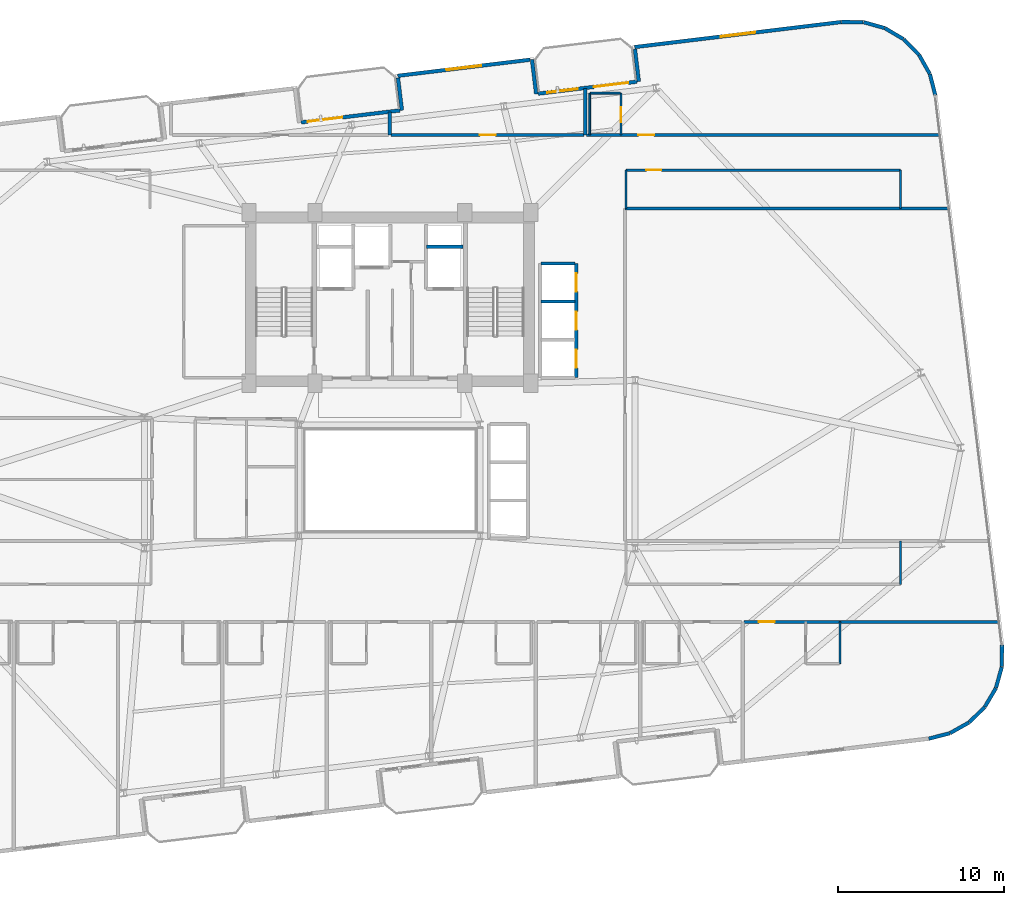
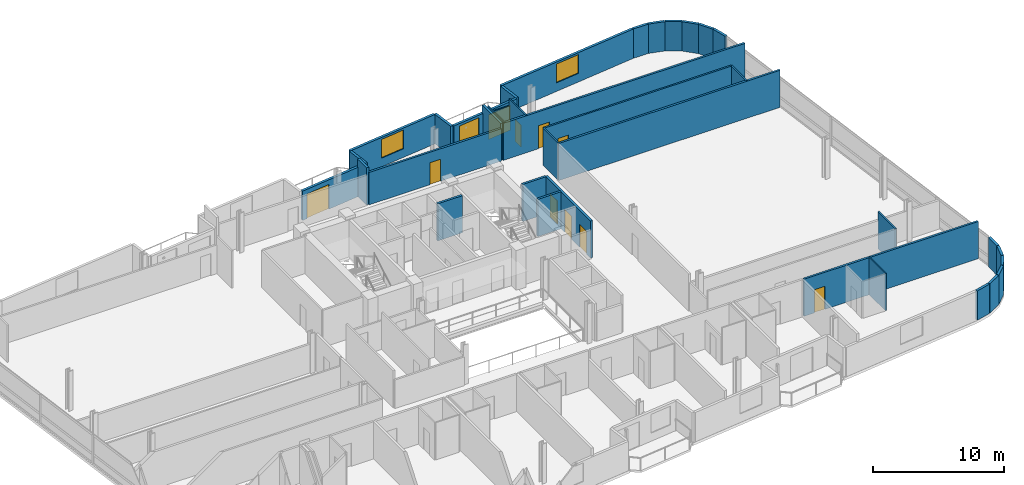
# One storey, part 18 of 23: 37 walls, 10 doors, 3 windows, 13 openings.
"""IFC4 building model written with IfcOpenShell, lengths in metres."""

from ifc_helpers import new_model, si_unit, direction, frame, frame_2d, origin, place, context, subcontext, project, spatial, rectangle, extrude, material, layer, layer_set, type_object, element, fill, save


model = new_model("IFC4")

# Units and contexts
model_context = context("Model", 3, precision=1e-05, world=origin(), true_north=direction((0.0, 1.0)))
body_context = subcontext(model_context, "Body", "Model", "MODEL_VIEW")
ifc_project = project(units=[si_unit("LENGTHUNIT", "METRE"), si_unit("AREAUNIT", "SQUARE_METRE"), si_unit("VOLUMEUNIT", "CUBIC_METRE"), si_unit("PLANEANGLEUNIT", "RADIAN"), si_unit("MASSUNIT", "GRAM", prefix="KILO")], contexts=[model_context])

# Site, building, storey
site_placement = place(None, origin())
site = spatial("IfcSite", under=ifc_project, at=site_placement, CompositionType="ELEMENT")
building_placement = place(site_placement, origin())
building = spatial("IfcBuilding", under=site, at=building_placement, Name="Varnelok Gate Tower", CompositionType="ELEMENT")
storey_placement = place(building_placement, frame((0.0, 0.0, 200.5)))
storey = spatial("IfcBuildingStorey", under=building, at=storey_placement, Name="L51", CompositionType="ELEMENT", Elevation=200.5)

# Wall, opening, door
ifc_material_1 = material(Name="Concrete C45/55", Category="concrete")
ifc_layer_1 = layer(ifc_material_1, 0.219970703125)
ifc_layer_set_1 = layer_set([ifc_layer_1], Name="Concrete C45/55")
wall_type_1 = type_object("IfcWallType", Name="EW-BALC-220", PredefinedType="SOLIDWALL", material=ifc_layer_set_1)
wall_1_placement = place(storey_placement, frame((33.852294921875, 44.48583984375, 0.0), z_axis=(0.0, 0.0, 1.0), x_axis=(0.992729951822, 0.120362962556, 0.0)))
wall_1 = element("IfcWall", 1, at=wall_1_placement, inside=storey, type_object=wall_type_1, Name="L51 North Terrace Envelope Wall 5", PredefinedType="SOLIDWALL", context=body_context, shape_type="SweptSolid", body=[
    extrude(rectangle(XDim=6.0, YDim=0.219970703125, at=frame_2d((3.0, 0.0))), origin(), (0.0, 0.0, 1.0), 2.72998046875),
])
opening_1_placement = place(wall_1_placement, frame((0.39990234375, 0.0, 0.0)))
opening_1 = element("IfcOpeningElement", 2, at=opening_1_placement, cuts=wall_1, Name="Opening BD-2", PredefinedType="OPENING", context=body_context, shape_type="SweptSolid", body=[
    extrude(rectangle(XDim=2.10009765625, YDim=2.300048828125, at=frame_2d((1.050048828125, 1.14990234375))), frame((0.0, 0.119873046875, 0.0), z_axis=(0.0, -1.0, 0.0), x_axis=(1.0, 0.0, 0.0)), (0.0, 0.0, 1.0), 0.239990234375),
])
ifc_material_2 = material(Name="Anodized Aluminum Alloy 6063-T6", Category="aluminium")
door_type_1 = type_object("IfcDoorType", Name="DR-EXT-SLID2100", OperationType="SLIDING_TO_LEFT", PredefinedType="DOOR", material=ifc_material_2)
door_1_placement = place(opening_1_placement, origin())
door_1 = element("IfcDoor", 3, at=door_1_placement, inside=storey, type_object=door_type_1, Name="L51 North Balcony Glazed Door 5", OperationType="SLIDING_TO_LEFT", OverallHeight=2.300048828125, OverallWidth=2.10009765625, PredefinedType="DOOR", context=body_context, shape_type="SweptSolid", body=[
    extrude(rectangle(XDim=2.10009765625, YDim=2.300048828125, at=frame_2d((1.050048828125, 1.14990234375))), frame((0.0, 0.02490234375, 0.0), z_axis=(0.0, -1.0, 0.0), x_axis=(1.0, 0.0, 0.0)), (0.0, 0.0, 1.0), 0.050048828125),
])
fill(opening_1, door_1)

# Wall, openings, door, window
wall_2_placement = place(storey_placement, frame((48.147705078125, 46.21875, 0.0), z_axis=(0.0, 0.0, 1.0), x_axis=(0.992729951822, 0.120362962556, 0.0)))
wall_2 = element("IfcWall", 4, at=wall_2_placement, inside=storey, type_object=wall_type_1, Name="L51 North Terrace Envelope Wall 6", PredefinedType="SOLIDWALL", context=body_context, shape_type="SweptSolid", body=[
    extrude(rectangle(XDim=6.0, YDim=0.219970703125, at=frame_2d((3.0, 0.0))), origin(), (0.0, 0.0, 1.0), 2.72998046875),
])
opening_2_placement = place(wall_2_placement, frame((3.3759765625, 0.0, 0.0)))
opening_2 = element("IfcOpeningElement", 5, at=opening_2_placement, cuts=wall_2, Name="Opening BD-2", PredefinedType="OPENING", context=body_context, shape_type="SweptSolid", body=[
    extrude(rectangle(XDim=2.10009765625, YDim=2.300048828125, at=frame_2d((1.050048828125, 1.14990234375))), frame((0.0, 0.119873046875, 0.0), z_axis=(0.0, -1.0, 0.0), x_axis=(1.0, 0.0, 0.0)), (0.0, 0.0, 1.0), 0.239990234375),
])
opening_3_placement = place(wall_2_placement, frame((0.550048828125, 0.0, 0.75)))
opening_3 = element("IfcOpeningElement", 6, at=opening_3_placement, cuts=wall_2, Name="Opening WN5", PredefinedType="OPENING", context=body_context, shape_type="SweptSolid", body=[
    extrude(rectangle(XDim=1.85009765625, YDim=1.75, at=frame_2d((0.925048828125, 0.875))), frame((0.0, 0.119873046875, 0.0), z_axis=(0.0, -1.0, 0.0), x_axis=(1.0, 0.0, 0.0)), (0.0, 0.0, 1.0), 0.239990234375),
])
door_2_placement = place(opening_2_placement, origin())
door_2 = element("IfcDoor", 7, at=door_2_placement, inside=storey, type_object=door_type_1, Name="L51 North Balcony Glazed Door 6", OperationType="SLIDING_TO_LEFT", OverallHeight=2.300048828125, OverallWidth=2.10009765625, PredefinedType="DOOR", context=body_context, shape_type="SweptSolid", body=[
    extrude(rectangle(XDim=2.10009765625, YDim=2.300048828125, at=frame_2d((1.050048828125, 1.14990234375))), frame((0.0, 0.02490234375, 0.0), z_axis=(0.0, -1.0, 0.0), x_axis=(1.0, 0.0, 0.0)), (0.0, 0.0, 1.0), 0.050048828125),
])
fill(opening_2, door_2)
ifc_material_3 = material(Name="Low-E Laminated Double Glazing IGU", Category="glass")
window_type_1 = type_object("IfcWindowType", Name="WN-RES-1850", PartitioningType="SINGLE_PANEL", PredefinedType="WINDOW", material=ifc_material_3)
window_1_placement = place(opening_3_placement, origin())
window_1 = element("IfcWindow", 8, at=window_1_placement, inside=storey, type_object=window_type_1, Name="L51 North Vision Window 6.1", OverallHeight=1.75, OverallWidth=1.85009765625, PartitioningType="SINGLE_PANEL", PredefinedType="WINDOW", context=body_context, shape_type="SweptSolid", body=[
    extrude(rectangle(XDim=1.85009765625, YDim=1.75, at=frame_2d((0.925048828125, 0.875))), frame((0.0, 0.030029296875, 0.0), z_axis=(0.0, -1.0, 0.0), x_axis=(1.0, 0.0, 0.0)), (0.0, 0.0, 1.0), 0.06005859375),
])
fill(opening_3, window_1)

# Walls
wall_3_placement = place(storey_placement, frame((71.71875, 7.305908203125, 0.0), z_axis=(0.0, 0.0, 1.0), x_axis=(0.968541764193, 0.248851061909, 0.0)))
element("IfcWall", 9, at=wall_3_placement, inside=storey, type_object=wall_type_1, Name="L51 Perimeter Facade Closure Wall 17", PredefinedType="SOLIDWALL", context=body_context, shape_type="SweptSolid", body=[
    extrude(rectangle(XDim=1.308837890625, YDim=0.219970703125, at=frame_2d((0.654296875, 0.0))), origin(), (0.0, 0.0, 1.0), 2.72998046875),
])
for number, where, z_axis, x_axis, name in (
    (10, (73.00830078125, 7.64404296875, 0.0), (0.0, 0.0, 1.0), (0.87105877335, 0.491178799797, 0.0), "L51 Perimeter Facade Closure Wall 18"),
    (11, (74.1591796875, 8.30029296875, 0.0), (0.0, 0.0, 1.0), (0.714295394827, 0.699844331926, 0.0), "L51 Perimeter Facade Closure Wall 19"),
    (12, (75.101318359375, 9.232177734375, 0.0), (0.0, 0.0, 1.0), (0.508798863936, 0.860885425627, 0.0), "L51 Perimeter Facade Closure Wall 20"),
    (13, (75.77001953125, 10.376220703125, 0.0), (0.0, 0.0, 1.0), (0.26859243053, 0.963253915778, 0.0), "L51 Perimeter Facade Closure Wall 21"),
):
    element("IfcWall", number, at=place(storey_placement, frame(where, z_axis=z_axis, x_axis=x_axis)), inside=storey, type_object=wall_type_1, Name=name, PredefinedType="SOLIDWALL", context=body_context, shape_type="SweptSolid", body=[
        extrude(rectangle(XDim=1.30078125, YDim=0.219970703125, at=frame_2d((0.650390625, 0.0))), origin(), (0.0, 0.0, 1.0), 2.72998046875),
    ])
wall_4_placement = place(storey_placement, frame((76.11962890625, 11.654052734375, 0.0), z_axis=(0.0, 0.0, 1.0), x_axis=(0.01032033607, 0.999946743914, 0.0)))
element("IfcWall", 14, at=wall_4_placement, inside=storey, type_object=wall_type_1, Name="L51 Perimeter Facade Closure Wall 22", PredefinedType="SOLIDWALL", context=body_context, shape_type="SweptSolid", body=[
    extrude(rectangle(XDim=1.301025390625, YDim=0.219970703125, at=frame_2d((0.650390625, 0.0))), origin(), (0.0, 0.0, 1.0), 2.72998046875),
])
wall_5_placement = place(storey_placement, frame((72.113525390625, 46.1123046875, 0.0), z_axis=(0.0, 0.0, 1.0), x_axis=(-0.248942347653, 0.968518305219, 0.0)))
element("IfcWall", 15, at=wall_5_placement, inside=storey, type_object=wall_type_1, Name="L51 Perimeter Facade Closure Wall 23", PredefinedType="SOLIDWALL", context=body_context, shape_type="SweptSolid", body=[
    extrude(rectangle(XDim=1.325927734375, YDim=0.219970703125, at=frame_2d((0.6630859375, 0.0))), origin(), (0.0, 0.0, 1.0), 2.72998046875),
])
wall_6_placement = place(storey_placement, frame((71.771240234375, 47.418212890625, 0.0), z_axis=(0.0, 0.0, 1.0), x_axis=(-0.491098509465, 0.871104043155, 0.0)))
element("IfcWall", 16, at=wall_6_placement, inside=storey, type_object=wall_type_1, Name="L51 Perimeter Facade Closure Wall 24", PredefinedType="SOLIDWALL", context=body_context, shape_type="SweptSolid", body=[
    extrude(rectangle(XDim=1.301025390625, YDim=0.219970703125, at=frame_2d((0.650390625, 0.0))), origin(), (0.0, 0.0, 1.0), 2.72998046875),
])
wall_7_placement = place(storey_placement, frame((71.114990234375, 48.5693359375, 0.0), z_axis=(0.0, 0.0, 1.0), x_axis=(-0.699844331926, 0.714295394827, 0.0)))
element("IfcWall", 17, at=wall_7_placement, inside=storey, type_object=wall_type_1, Name="L51 Perimeter Facade Closure Wall 25", PredefinedType="SOLIDWALL", context=body_context, shape_type="SweptSolid", body=[
    extrude(rectangle(XDim=1.30078125, YDim=0.219970703125, at=frame_2d((0.650390625, 0.0))), origin(), (0.0, 0.0, 1.0), 2.72998046875),
])
wall_8_placement = place(storey_placement, frame((70.18310546875, 49.51123046875, 0.0), z_axis=(0.0, 0.0, 1.0), x_axis=(-0.860933999601, 0.508716668029, 0.0)))
element("IfcWall", 18, at=wall_8_placement, inside=storey, type_object=wall_type_1, Name="L51 Perimeter Facade Closure Wall 26", PredefinedType="SOLIDWALL", context=body_context, shape_type="SweptSolid", body=[
    extrude(rectangle(XDim=1.301025390625, YDim=0.219970703125, at=frame_2d((0.650390625, 0.0))), origin(), (0.0, 0.0, 1.0), 2.72998046875),
])
wall_9_placement = place(storey_placement, frame((69.0390625, 50.179931640625, 0.0), z_axis=(0.0, 0.0, 1.0), x_axis=(-0.963205341366, 0.26876657226, 0.0)))
element("IfcWall", 19, at=wall_9_placement, inside=storey, type_object=wall_type_1, Name="L51 Perimeter Facade Closure Wall 27", PredefinedType="SOLIDWALL", context=body_context, shape_type="SweptSolid", body=[
    extrude(rectangle(XDim=1.30078125, YDim=0.219970703125, at=frame_2d((0.650390625, 0.0))), origin(), (0.0, 0.0, 1.0), 2.72998046875),
])
wall_10_placement = place(storey_placement, frame((67.760986328125, 50.52978515625, 0.0), z_axis=(0.0, 0.0, 1.0), x_axis=(-0.999947358106, 0.010260653861, 0.0)))
element("IfcWall", 20, at=wall_10_placement, inside=storey, type_object=wall_type_1, Name="L51 Perimeter Facade Closure Wall 28", PredefinedType="SOLIDWALL", context=body_context, shape_type="SweptSolid", body=[
    extrude(rectangle(XDim=1.30859375, YDim=0.219970703125, at=frame_2d((0.654296875, 0.0))), origin(), (0.0, 0.0, 1.0), 2.72998046875),
])

# Wall, opening, window
wall_11_placement = place(storey_placement, frame((66.427490234375, 50.5400390625, 0.0), z_axis=(0.0, 0.0, 1.0), x_axis=(-0.992731739233, -0.120348219431, 0.0)))
wall_11 = element("IfcWall", 21, at=wall_11_placement, inside=storey, type_object=wall_type_1, Name="L51 Perimeter Facade Closure Wall 29", PredefinedType="SOLIDWALL", context=body_context, shape_type="SweptSolid", body=[
    extrude(rectangle(XDim=12.547119140625, YDim=0.219970703125, at=frame_2d((6.2734375, 0.0))), origin(), (0.0, 0.0, 1.0), 2.72998046875),
])
opening_4_placement = place(wall_11_placement, frame((5.2236328125, 0.0, 0.800048828125)))
opening_4 = element("IfcOpeningElement", 22, at=opening_4_placement, cuts=wall_11, Name="Opening WN4", PredefinedType="OPENING", context=body_context, shape_type="SweptSolid", body=[
    extrude(rectangle(XDim=2.10009765625, YDim=1.75, at=frame_2d((1.050048828125, 0.875))), frame((0.0, 0.119873046875, 0.0), z_axis=(0.0, -1.0, 0.0), x_axis=(1.0, 0.0, 0.0)), (0.0, 0.0, 1.0), 0.239990234375),
])
window_type_2 = type_object("IfcWindowType", Name="WN-SUI-2100", PartitioningType="SINGLE_PANEL", PredefinedType="WINDOW", material=ifc_material_3)
window_2_placement = place(opening_4_placement, origin())
window_2 = element("IfcWindow", 23, at=window_2_placement, inside=storey, type_object=window_type_2, Name="L51 Perimeter Vision Window 29", OverallHeight=1.75, OverallWidth=2.10009765625, PartitioningType="SINGLE_PANEL", PredefinedType="WINDOW", context=body_context, shape_type="SweptSolid", body=[
    extrude(rectangle(XDim=2.10009765625, YDim=1.75, at=frame_2d((1.050048828125, 0.875))), frame((0.0, 0.030029296875, 0.0), z_axis=(0.0, -1.0, 0.0), x_axis=(1.0, 0.0, 0.0)), (0.0, 0.0, 1.0), 0.06005859375),
])
fill(opening_4, window_2)

# Walls
wall_12_placement = place(storey_placement, frame((53.986572265625, 48.906005859375, 0.0), z_axis=(0.0, 0.0, 1.0), x_axis=(0.120397815541, -0.992725725472, 0.0)))
element("IfcWall", 24, at=wall_12_placement, inside=storey, type_object=wall_type_1, Name="L51 Perimeter Facade Closure Wall 30", PredefinedType="SOLIDWALL", context=body_context, shape_type="SweptSolid", body=[
    extrude(rectangle(XDim=1.97509765625, YDim=0.219970703125, at=frame_2d((0.987548828125, 0.0))), origin(), (0.0, 0.0, 1.0), 2.72998046875),
])
wall_13_placement = place(storey_placement, frame((48.029541015625, 46.1943359375, 0.0), z_axis=(0.0, 0.0, 1.0), x_axis=(-0.120314009587, 0.992735885871, 0.0)))
element("IfcWall", 25, at=wall_13_placement, inside=storey, type_object=wall_type_1, Name="L51 Perimeter Facade Closure Wall 31", PredefinedType="SOLIDWALL", context=body_context, shape_type="SweptSolid", body=[
    extrude(rectangle(XDim=2.10009765625, YDim=0.219970703125, at=frame_2d((1.050048828125, 0.0))), origin(), (0.0, 0.0, 1.0), 2.72998046875),
])

# Wall, opening, window
wall_14_placement = place(storey_placement, frame((47.65283203125, 48.26416015625, 0.0), z_axis=(0.0, 0.0, 1.0), x_axis=(-0.992731032022, -0.120354052946, 0.0)))
wall_14 = element("IfcWall", 26, at=wall_14_placement, inside=storey, type_object=wall_type_1, Name="L51 Perimeter Facade Closure Wall 32", PredefinedType="SOLIDWALL", context=body_context, shape_type="SweptSolid", body=[
    extrude(rectangle(XDim=8.034912109375, YDim=0.219970703125, at=frame_2d((4.017578125, 0.0))), origin(), (0.0, 0.0, 1.0), 2.72998046875),
])
opening_5_placement = place(wall_14_placement, frame((2.967529296875, 0.0, 0.800048828125)))
opening_5 = element("IfcOpeningElement", 27, at=opening_5_placement, cuts=wall_14, Name="Opening WN4", PredefinedType="OPENING", context=body_context, shape_type="SweptSolid", body=[
    extrude(rectangle(XDim=2.10009765625, YDim=1.75, at=frame_2d((1.050048828125, 0.875))), frame((0.0, 0.119873046875, 0.0), z_axis=(0.0, -1.0, 0.0), x_axis=(1.0, 0.0, 0.0)), (0.0, 0.0, 1.0), 0.239990234375),
])
window_3_placement = place(opening_5_placement, origin())
window_3 = element("IfcWindow", 28, at=window_3_placement, inside=storey, type_object=window_type_2, Name="L51 Perimeter Vision Window 32", OverallHeight=1.75, OverallWidth=2.10009765625, PartitioningType="SINGLE_PANEL", PredefinedType="WINDOW", context=body_context, shape_type="SweptSolid", body=[
    extrude(rectangle(XDim=2.10009765625, YDim=1.75, at=frame_2d((1.050048828125, 0.875))), frame((0.0, 0.030029296875, 0.0), z_axis=(0.0, -1.0, 0.0), x_axis=(1.0, 0.0, 0.0)), (0.0, 0.0, 1.0), 0.06005859375),
])
fill(opening_5, window_3)

# Wall
wall_15_placement = place(storey_placement, frame((39.691162109375, 47.173095703125, 0.0), z_axis=(0.0, 0.0, 1.0), x_axis=(0.120397815541, -0.992725725472, 0.0)))
element("IfcWall", 29, at=wall_15_placement, inside=storey, type_object=wall_type_1, Name="L51 Perimeter Facade Closure Wall 33", PredefinedType="SOLIDWALL", context=body_context, shape_type="SweptSolid", body=[
    extrude(rectangle(XDim=1.97509765625, YDim=0.219970703125, at=frame_2d((0.987548828125, 0.0))), origin(), (0.0, 0.0, 1.0), 2.72998046875),
])

# Wall, opening, door
ifc_material_4 = material(Name="Gypsum Plasterboard Acoustic Partition", Category="gypsum")
ifc_layer_2 = layer(ifc_material_4, 0.179931640625)
ifc_layer_set_2 = layer_set([ifc_layer_2], Name="Gypsum Plasterboard Acoustic Partition")
wall_type_2 = type_object("IfcWallType", Name="PW-CORR-180", PredefinedType="PARTITIONING", material=ifc_layer_set_2)
wall_16_placement = place(storey_placement, frame((60.580078125, 14.35009765625, 0.0), z_axis=(0.0, 0.0, 1.0), x_axis=(1.0, 0.0, 0.0)))
wall_16 = element("IfcWall", 30, at=wall_16_placement, inside=storey, type_object=wall_type_2, Name="Interior Partition", PredefinedType="PARTITIONING", context=body_context, shape_type="SweptSolid", body=[
    extrude(rectangle(XDim=15.32470703125, YDim=0.179931640625, at=frame_2d((7.662353515625, 0.0))), origin(), (0.0, 0.0, 1.0), 3.449951171875),
])
opening_6_placement = place(wall_16_placement, frame((0.889404296875, 0.0, 0.0)))
opening_6 = element("IfcOpeningElement", 31, at=opening_6_placement, cuts=wall_16, Name="Opening D-HT", PredefinedType="OPENING", context=body_context, shape_type="SweptSolid", body=[
    extrude(rectangle(XDim=0.949951171875, YDim=2.14990234375, at=frame_2d((0.47509765625, 1.074951171875))), frame((0.0, 0.099853515625, 0.0), z_axis=(0.0, -1.0, 0.0), x_axis=(1.0, 0.0, 0.0)), (0.0, 0.0, 1.0), 0.199951171875),
])
ifc_material_5 = material(Name="Engineered Hardwood Timber", Category="wood")
door_type_2 = type_object("IfcDoorType", Name="DR-HTL-950", OperationType="NOTDEFINED", PredefinedType="DOOR", material=ifc_material_5)
door_3_placement = place(opening_6_placement, origin())
door_3 = element("IfcDoor", 32, at=door_3_placement, inside=storey, type_object=door_type_2, Name="L51 Guest Room 09 Entrance Door", OperationType="SINGLE_SWING_RIGHT", OverallHeight=2.14990234375, OverallWidth=0.949951171875, PredefinedType="DOOR", context=body_context, shape_type="SweptSolid", body=[
    extrude(rectangle(XDim=0.949951171875, YDim=2.14990234375, at=frame_2d((0.47509765625, 1.074951171875))), frame((0.0, 0.02490234375, 0.0), z_axis=(0.0, -1.0, 0.0), x_axis=(1.0, 0.0, 0.0)), (0.0, 0.0, 1.0), 0.050048828125),
])
fill(opening_6, door_3)

wall_17_placement = place(storey_placement, frame((39.280029296875, 43.72998046875, 0.0), z_axis=(0.0, 0.0, 1.0), x_axis=(1.0, 0.0, 0.0)))
wall_17 = element("IfcWall", 33, at=wall_17_placement, inside=storey, type_object=wall_type_2, Name="Interior Partition", PredefinedType="PARTITIONING", context=body_context, shape_type="SweptSolid", body=[
    extrude(rectangle(XDim=11.639892578125, YDim=0.179931640625, at=frame_2d((5.81982421875, 0.0))), origin(), (0.0, 0.0, 1.0), 3.01806640625),
])
opening_7_placement = place(wall_17_placement, frame((5.344970703125, 0.0, 0.0)))
opening_7 = element("IfcOpeningElement", 34, at=opening_7_placement, cuts=wall_17, Name="Opening D-I2", PredefinedType="OPENING", context=body_context, shape_type="SweptSolid", body=[
    extrude(rectangle(XDim=0.949951171875, YDim=2.050048828125, at=frame_2d((0.47509765625, 1.02490234375))), frame((0.0, 0.099853515625, 0.0), z_axis=(0.0, -1.0, 0.0), x_axis=(1.0, 0.0, 0.0)), (0.0, 0.0, 1.0), 0.199951171875),
])
door_type_3 = type_object("IfcDoorType", Name="DR-INT-950", OperationType="NOTDEFINED", PredefinedType="DOOR", material=ifc_material_5)
door_4_placement = place(opening_7_placement, origin())
door_4 = element("IfcDoor", 35, at=door_4_placement, inside=storey, type_object=door_type_3, Name="L51 Wellness Spa Lounge Door", OperationType="SINGLE_SWING_LEFT", OverallHeight=2.050048828125, OverallWidth=0.949951171875, PredefinedType="DOOR", context=body_context, shape_type="SweptSolid", body=[
    extrude(rectangle(XDim=0.949951171875, YDim=2.050048828125, at=frame_2d((0.47509765625, 1.02490234375))), frame((0.0, 0.02490234375, 0.0), z_axis=(0.0, -1.0, 0.0), x_axis=(1.0, 0.0, 0.0)), (0.0, 0.0, 1.0), 0.050048828125),
])
fill(opening_7, door_4)

wall_18_placement = place(storey_placement, frame((51.080078125, 43.72998046875, 0.0), z_axis=(0.0, 0.0, 1.0), x_axis=(1.0, 0.0, 0.0)))
wall_18 = element("IfcWall", 36, at=wall_18_placement, inside=storey, type_object=wall_type_2, Name="Interior Partition", PredefinedType="PARTITIONING", context=body_context, shape_type="SweptSolid", body=[
    extrude(rectangle(XDim=21.26318359375, YDim=0.179931640625, at=frame_2d((10.631591796875, 0.0))), origin(), (0.0, 0.0, 1.0), 3.449951171875),
])
opening_8_placement = place(wall_18_placement, frame((3.110107421875, 0.0, 0.0)))
opening_8 = element("IfcOpeningElement", 37, at=opening_8_placement, cuts=wall_18, Name="Opening D-HT", PredefinedType="OPENING", context=body_context, shape_type="SweptSolid", body=[
    extrude(rectangle(XDim=0.949951171875, YDim=2.14990234375, at=frame_2d((0.47509765625, 1.074951171875))), frame((0.0, 0.099853515625, 0.0), z_axis=(0.0, -1.0, 0.0), x_axis=(1.0, 0.0, 0.0)), (0.0, 0.0, 1.0), 0.199951171875),
])
door_5_placement = place(opening_8_placement, origin())
door_5 = element("IfcDoor", 38, at=door_5_placement, inside=storey, type_object=door_type_2, Name="L51 Guest Room 13 Entrance Door", OperationType="SINGLE_SWING_RIGHT", OverallHeight=2.14990234375, OverallWidth=0.949951171875, PredefinedType="DOOR", context=body_context, shape_type="SweptSolid", body=[
    extrude(rectangle(XDim=0.949951171875, YDim=2.14990234375, at=frame_2d((0.47509765625, 1.074951171875))), frame((0.0, 0.02490234375, 0.0), z_axis=(0.0, -1.0, 0.0), x_axis=(1.0, 0.0, 0.0)), (0.0, 0.0, 1.0), 0.050048828125),
])
fill(opening_8, door_5)

# Walls
wall_19_placement = place(storey_placement, frame((53.389892578125, 39.300048828125, 0.0), z_axis=(0.0, 0.0, 1.0), x_axis=(1.0, 0.0, 0.0)))
element("IfcWall", 39, at=wall_19_placement, inside=storey, type_object=wall_type_2, Name="Interior Partition", PredefinedType="PARTITIONING", context=body_context, shape_type="SweptSolid", body=[
    extrude(rectangle(XDim=19.490234375, YDim=0.179931640625, at=frame_2d((9.7451171875, 0.0))), origin(), (0.0, 0.0, 1.0), 3.449951171875),
])
ifc_layer_3 = layer(ifc_material_4, 0.114990234375)
ifc_layer_set_3 = layer_set([ifc_layer_3], Name="Gypsum Plasterboard Acoustic Partition")
wall_type_3 = type_object("IfcWallType", Name="PW-ENS-125", PredefinedType="PARTITIONING", material=ifc_layer_set_3)
wall_20_placement = place(storey_placement, frame((66.360107421875, 11.830078125, 0.0), z_axis=(0.0, 0.0, 1.0), x_axis=(0.0, 1.0, 0.0)))
element("IfcWall", 40, at=wall_20_placement, inside=storey, type_object=wall_type_3, Name="Interior Partition", PredefinedType="PARTITIONING", context=body_context, shape_type="SweptSolid", body=[
    extrude(rectangle(XDim=2.52001953125, YDim=0.114990234375, at=frame_2d((1.260009765625, 0.0))), origin(), (0.0, 0.0, 1.0), 3.449951171875),
])
wall_21_placement = place(storey_placement, frame((51.300048828125, 46.25, 0.0), z_axis=(0.0, 0.0, 1.0), x_axis=(1.0, 0.0, 0.0)))
element("IfcWall", 41, at=wall_21_placement, inside=storey, type_object=wall_type_3, Name="Interior Partition", PredefinedType="PARTITIONING", context=body_context, shape_type="SweptSolid", body=[
    extrude(rectangle(XDim=1.80712890625, YDim=0.114990234375, at=frame_2d((0.903564453125, 0.0))), origin(), (0.0, 0.0, 1.0), 2.823974609375),
])

# Wall, opening, door
wall_22_placement = place(storey_placement, frame((53.147216796875, 43.72998046875, 0.0), z_axis=(0.0, 0.0, 1.0), x_axis=(0.0, 1.0, 0.0)))
wall_22 = element("IfcWall", 42, at=wall_22_placement, inside=storey, type_object=wall_type_3, Name="Interior Partition", PredefinedType="PARTITIONING", context=body_context, shape_type="SweptSolid", body=[
    extrude(rectangle(XDim=2.52001953125, YDim=0.114990234375, at=frame_2d((1.260009765625, 0.0))), origin(), (0.0, 0.0, 1.0), 3.449951171875),
])
opening_9_placement = place(wall_22_placement, frame((0.760009765625, 0.0, 0.0)))
opening_9 = element("IfcOpeningElement", 43, at=opening_9_placement, cuts=wall_22, Name="Opening D-WC", PredefinedType="OPENING", context=body_context, shape_type="SweptSolid", body=[
    extrude(rectangle(XDim=0.89990234375, YDim=2.050048828125, at=frame_2d((0.449951171875, 1.02490234375))), frame((0.0, 0.0673828125, 0.0), z_axis=(0.0, -1.0, 0.0), x_axis=(1.0, 0.0, 0.0)), (0.0, 0.0, 1.0), 0.135009765625),
])
door_type_4 = type_object("IfcDoorType", Name="DR-BATH-900", OperationType="NOTDEFINED", PredefinedType="DOOR", material=ifc_material_5)
door_6_placement = place(opening_9_placement, origin())
door_6 = element("IfcDoor", 44, at=door_6_placement, inside=storey, type_object=door_type_4, Name="L51 North En-Suite 13 Door", OperationType="SINGLE_SWING_RIGHT", OverallHeight=2.050048828125, OverallWidth=0.89990234375, PredefinedType="DOOR", context=body_context, shape_type="SweptSolid", body=[
    extrude(rectangle(XDim=0.89990234375, YDim=2.050048828125, at=frame_2d((0.449951171875, 1.02490234375))), frame((0.0, 0.02490234375, 0.0), z_axis=(0.0, -1.0, 0.0), x_axis=(1.0, 0.0, 0.0)), (0.0, 0.0, 1.0), 0.050048828125),
])
fill(opening_9, door_6)

# Walls
wall_23_placement = place(storey_placement, frame((51.260009765625, 43.72998046875, 0.0), z_axis=(0.0, 0.0, 1.0), x_axis=(0.0, 1.0, 0.0)))
element("IfcWall", 45, at=wall_23_placement, inside=storey, type_object=wall_type_3, Name="Interior Partition", PredefinedType="PARTITIONING", context=body_context, shape_type="SweptSolid", body=[
    extrude(rectangle(XDim=2.52001953125, YDim=0.114990234375, at=frame_2d((1.260009765625, 0.0))), origin(), (0.0, 0.0, 1.0), 3.449951171875),
])
ifc_layer_4 = layer(ifc_material_4, 0.125)
ifc_layer_set_4 = layer_set([ifc_layer_4], Name="Gypsum Plasterboard Acoustic Partition")
wall_type_4 = type_object("IfcWallType", Name="PW-PART-125", PredefinedType="PARTITIONING", material=ifc_layer_set_4)
wall_24_placement = place(storey_placement, frame((70.0, 16.610107421875, 0.0), z_axis=(0.0, 0.0, 1.0), x_axis=(0.0, 1.0, 0.0)))
element("IfcWall", 46, at=wall_24_placement, inside=storey, type_object=wall_type_4, Name="Interior Partition", PredefinedType="PARTITIONING", context=body_context, shape_type="SweptSolid", body=[
    extrude(rectangle(XDim=2.6298828125, YDim=0.125, at=frame_2d((1.31494140625, 0.0))), origin(), (0.0, 0.0, 1.0), 3.449951171875),
])
for number, where, z_axis, x_axis, name in (
    (47, (53.449951171875, 39.300048828125, 0.0), (0.0, 0.0, 1.0), (0.0, 1.0, 0.0), "Interior Partition"),
    (48, (70.0, 39.300048828125, 0.0), (0.0, 0.0, 1.0), (0.0, 1.0, 0.0), "Interior Partition"),
):
    element("IfcWall", number, at=place(storey_placement, frame(where, z_axis=z_axis, x_axis=x_axis)), inside=storey, type_object=wall_type_4, Name=name, PredefinedType="PARTITIONING", context=body_context, shape_type="SweptSolid", body=[
        extrude(rectangle(XDim=2.31005859375, YDim=0.125, at=frame_2d((1.155029296875, 0.0))), origin(), (0.0, 0.0, 1.0), 3.449951171875),
    ])

# Wall, opening, door
ifc_layer_5 = layer(ifc_material_4, 0.14990234375)
ifc_layer_set_5 = layer_set([ifc_layer_5], Name="Gypsum Plasterboard Acoustic Partition")
wall_type_5 = type_object("IfcWallType", Name="PW-PART-150", PredefinedType="PARTITIONING", material=ifc_layer_set_5)
wall_25_placement = place(storey_placement, frame((53.449951171875, 41.610107421875, 0.0), z_axis=(0.0, 0.0, 1.0), x_axis=(1.0, 0.0, 0.0)))
wall_25 = element("IfcWall", 49, at=wall_25_placement, inside=storey, type_object=wall_type_5, Name="Interior Partition", PredefinedType="PARTITIONING", context=body_context, shape_type="SweptSolid", body=[
    extrude(rectangle(XDim=16.550048828125, YDim=0.14990234375, at=frame_2d((8.27490234375, 0.0))), origin(), (0.0, 0.0, 1.0), 3.449951171875),
])
opening_10_placement = place(wall_25_placement, frame((1.219970703125, 0.0, 0.0)))
opening_10 = element("IfcOpeningElement", 50, at=opening_10_placement, cuts=wall_25, Name="Opening D-I3", PredefinedType="OPENING", context=body_context, shape_type="SweptSolid", body=[
    extrude(rectangle(XDim=0.919921875, YDim=2.050048828125, at=frame_2d((0.4599609375, 1.02490234375))), frame((0.0, 0.0849609375, 0.0), z_axis=(0.0, -1.0, 0.0), x_axis=(1.0, 0.0, 0.0)), (0.0, 0.0, 1.0), 0.169921875),
])
door_type_5 = type_object("IfcDoorType", Name="DR-INT-920", OperationType="NOTDEFINED", PredefinedType="DOOR", material=ifc_material_5)
door_7_placement = place(opening_10_placement, origin())
door_7 = element("IfcDoor", 51, at=door_7_placement, inside=storey, type_object=door_type_5, Name="L51 North Study 2 Door", OperationType="SINGLE_SWING_RIGHT", OverallHeight=2.050048828125, OverallWidth=0.919921875, PredefinedType="DOOR", context=body_context, shape_type="SweptSolid", body=[
    extrude(rectangle(XDim=0.919921875, YDim=2.050048828125, at=frame_2d((0.4599609375, 1.02490234375))), frame((0.0, 0.02490234375, 0.0), z_axis=(0.0, -1.0, 0.0), x_axis=(1.0, 0.0, 0.0)), (0.0, 0.0, 1.0), 0.050048828125),
])
fill(opening_10, door_7)

# Walls
ifc_layer_6 = layer(ifc_material_4, 0.205078125)
ifc_layer_set_6 = layer_set([ifc_layer_6], Name="Gypsum Plasterboard Acoustic Partition")
wall_type_6 = type_object("IfcWallType", Name="PW-PARTY-200", PredefinedType="PARTITIONING", material=ifc_layer_set_6)
wall_26_placement = place(storey_placement, frame((39.199951171875, 43.72998046875, 0.0), z_axis=(0.0, 0.0, 1.0), x_axis=(0.0, 1.0, 0.0)))
element("IfcWall", 52, at=wall_26_placement, inside=storey, type_object=wall_type_6, Name="L51 North Party Wall 2", PredefinedType="PARTITIONING", context=body_context, shape_type="SweptSolid", body=[
    extrude(rectangle(XDim=1.3740234375, YDim=0.205078125, at=frame_2d((0.68701171875, 0.0))), origin(), (0.0, 0.0, 1.0), 3.449951171875),
])
wall_27_placement = place(storey_placement, frame((51.0, 43.72998046875, 0.0), z_axis=(0.0, 0.0, 1.0), x_axis=(0.0, 1.0, 0.0)))
element("IfcWall", 53, at=wall_27_placement, inside=storey, type_object=wall_type_6, Name="L51 North Party Wall 3", PredefinedType="PARTITIONING", context=body_context, shape_type="SweptSolid", body=[
    extrude(rectangle(XDim=2.804443359375, YDim=0.205078125, at=frame_2d((1.40234375, 0.0))), origin(), (0.0, 0.0, 1.0), 3.449951171875),
])
ifc_material_6 = material(Name="Concrete C35/45", Category="concrete")
ifc_layer_7 = layer(ifc_material_6, 0.199951171875)
ifc_layer_set_7 = layer_set([ifc_layer_7], Name="Concrete C35/45")
wall_type_7 = type_object("IfcWallType", Name="PW-SHAFT-200", PredefinedType="PARTITIONING", material=ifc_layer_set_7)
wall_28_placement = place(storey_placement, frame((41.419921875, 36.97998046875, 0.0), z_axis=(0.0, 0.0, 1.0), x_axis=(1.0, 0.0, 0.0)))
element("IfcWall", 54, at=wall_28_placement, inside=storey, type_object=wall_type_7, Name="L51 FF2 Shaft North Wall", PredefinedType="PARTITIONING", context=body_context, shape_type="SweptSolid", body=[
    extrude(rectangle(XDim=2.18017578125, YDim=0.199951171875, at=frame_2d((1.090087890625, 0.0))), origin(), (0.0, 0.0, 1.0), 3.449951171875),
])
for number, where, z_axis, x_axis, name in (
    (55, (48.320068359375, 33.675048828125, 0.0), (0.0, 0.0, 1.0), (1.0, 0.0, 0.0), "L51 PM2 Divider"),
    (56, (48.320068359375, 35.969970703125, 0.0), (0.0, 0.0, 1.0), (1.0, 0.0, 0.0), "L51 PM Bank North Wall"),
):
    element("IfcWall", number, at=place(storey_placement, frame(where, z_axis=z_axis, x_axis=x_axis)), inside=storey, type_object=wall_type_7, Name=name, PredefinedType="PARTITIONING", context=body_context, shape_type="SweptSolid", body=[
        extrude(rectangle(XDim=2.059814453125, YDim=0.199951171875, at=frame_2d((1.02978515625, 0.0))), origin(), (0.0, 0.0, 1.0), 3.449951171875),
    ])

# Wall, openings, doors
wall_29_placement = place(storey_placement, frame((50.43994140625, 29.080078125, 0.0), z_axis=(0.0, 0.0, 1.0), x_axis=(0.0, 1.0, 0.0)))
wall_29 = element("IfcWall", 57, at=wall_29_placement, inside=storey, type_object=wall_type_7, Name="L51 PM Bank Front Wall", PredefinedType="PARTITIONING", context=body_context, shape_type="SweptSolid", body=[
    extrude(rectangle(XDim=6.889892578125, YDim=0.199951171875, at=frame_2d((3.44482421875, 0.0))), origin(), (0.0, 0.0, 1.0), 3.449951171875),
])
opening_11_placement = place(wall_29_placement, frame((0.590087890625, 0.0, 0.0)))
opening_11 = element("IfcOpeningElement", 58, at=opening_11_placement, cuts=wall_29, Name="Opening LD-PM1", PredefinedType="OPENING", context=body_context, shape_type="SweptSolid", body=[
    extrude(rectangle(XDim=1.10009765625, YDim=2.14990234375, at=frame_2d((0.550048828125, 1.074951171875))), frame((0.0, 0.10986328125, 0.0), z_axis=(0.0, -1.0, 0.0), x_axis=(1.0, 0.0, 0.0)), (0.0, 0.0, 1.0), 0.219970703125),
])
opening_12_placement = place(wall_29_placement, frame((2.889892578125, 0.0, 0.0)))
opening_12 = element("IfcOpeningElement", 59, at=opening_12_placement, cuts=wall_29, Name="Opening LD-PM2", PredefinedType="OPENING", context=body_context, shape_type="SweptSolid", body=[
    extrude(rectangle(XDim=1.10009765625, YDim=2.14990234375, at=frame_2d((0.550048828125, 1.074951171875))), frame((0.0, 0.10986328125, 0.0), z_axis=(0.0, -1.0, 0.0), x_axis=(1.0, 0.0, 0.0)), (0.0, 0.0, 1.0), 0.219970703125),
])
opening_13_placement = place(wall_29_placement, frame((5.18994140625, 0.0, 0.0)))
opening_13 = element("IfcOpeningElement", 60, at=opening_13_placement, cuts=wall_29, Name="Opening LD-PM3", PredefinedType="OPENING", context=body_context, shape_type="SweptSolid", body=[
    extrude(rectangle(XDim=1.10009765625, YDim=2.14990234375, at=frame_2d((0.550048828125, 1.074951171875))), frame((0.0, 0.10986328125, 0.0), z_axis=(0.0, -1.0, 0.0), x_axis=(1.0, 0.0, 0.0)), (0.0, 0.0, 1.0), 0.219970703125),
])
ifc_material_7 = material(Name="Galvanized Steel Grade S350GD", Category="steel")
door_type_6 = type_object("IfcDoorType", Name="DR-LIFT-PAX1100", OperationType="SLIDING_TO_LEFT", PredefinedType="DOOR", material=ifc_material_7)
door_8_placement = place(opening_11_placement, origin())
door_8 = element("IfcDoor", 61, at=door_8_placement, inside=storey, type_object=door_type_6, Name="L51 Passenger Lift Landing Door LD-PM1", OperationType="SLIDING_TO_LEFT", OverallHeight=2.14990234375, OverallWidth=1.10009765625, PredefinedType="DOOR", context=body_context, shape_type="SweptSolid", body=[
    extrude(rectangle(XDim=1.10009765625, YDim=2.14990234375, at=frame_2d((0.550048828125, 1.074951171875))), frame((0.0, 0.02490234375, 0.0), z_axis=(0.0, -1.0, 0.0), x_axis=(1.0, 0.0, 0.0)), (0.0, 0.0, 1.0), 0.050048828125),
])
fill(opening_11, door_8)
door_9_placement = place(opening_12_placement, origin())
door_9 = element("IfcDoor", 62, at=door_9_placement, inside=storey, type_object=door_type_6, Name="L51 Passenger Lift Landing Door LD-PM2", OperationType="SLIDING_TO_LEFT", OverallHeight=2.14990234375, OverallWidth=1.10009765625, PredefinedType="DOOR", context=body_context, shape_type="SweptSolid", body=[
    extrude(rectangle(XDim=1.10009765625, YDim=2.14990234375, at=frame_2d((0.550048828125, 1.074951171875))), frame((0.0, 0.02490234375, 0.0), z_axis=(0.0, -1.0, 0.0), x_axis=(1.0, 0.0, 0.0)), (0.0, 0.0, 1.0), 0.050048828125),
])
fill(opening_12, door_9)
door_10_placement = place(opening_13_placement, origin())
door_10 = element("IfcDoor", 63, at=door_10_placement, inside=storey, type_object=door_type_6, Name="L51 Passenger Lift Landing Door LD-PM3", OperationType="SLIDING_TO_LEFT", OverallHeight=2.14990234375, OverallWidth=1.10009765625, PredefinedType="DOOR", context=body_context, shape_type="SweptSolid", body=[
    extrude(rectangle(XDim=1.10009765625, YDim=2.14990234375, at=frame_2d((0.550048828125, 1.074951171875))), frame((0.0, 0.02490234375, 0.0), z_axis=(0.0, -1.0, 0.0), x_axis=(1.0, 0.0, 0.0)), (0.0, 0.0, 1.0), 0.050048828125),
])
fill(opening_13, door_10)

save(model, "model.ifc")
